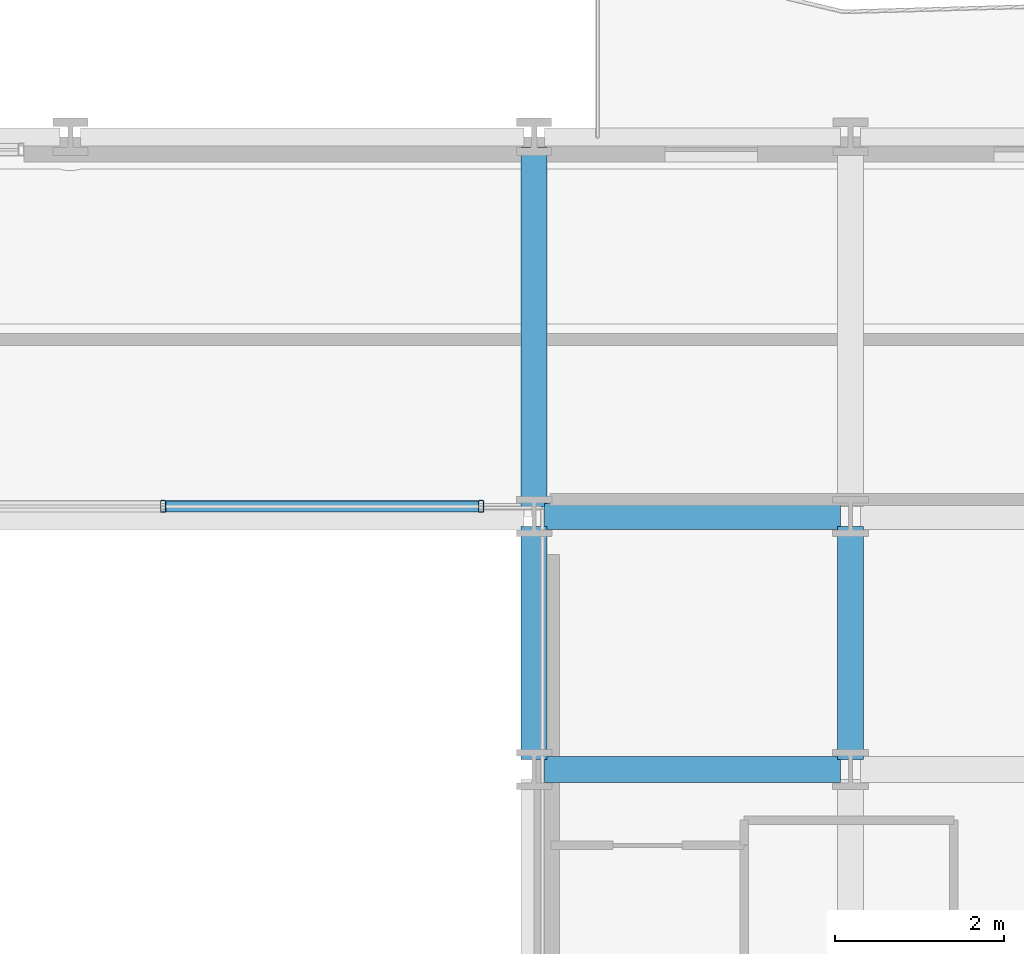
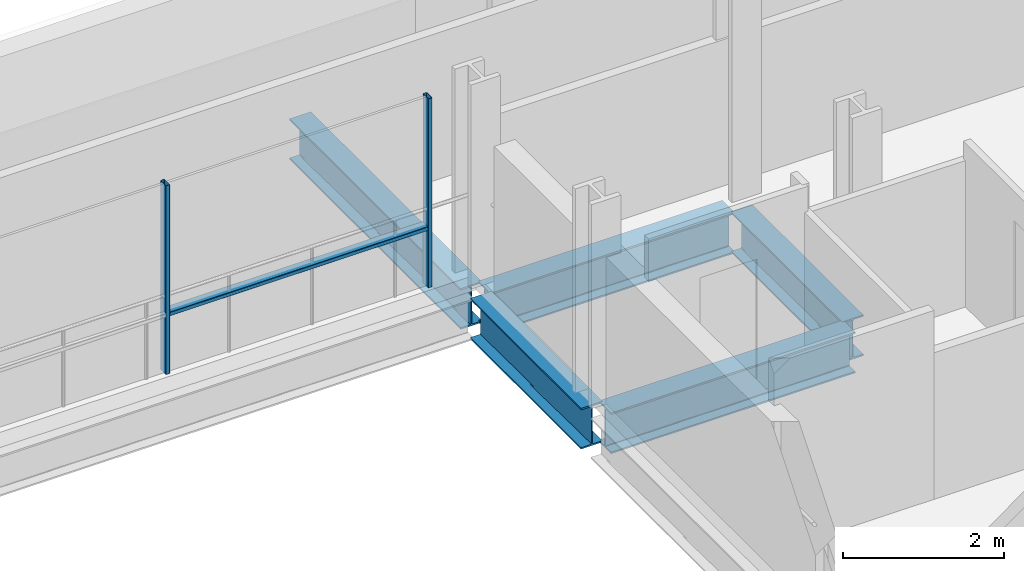
# One storey, part 17 of 41: 5 beams, 3 members, 1 element without a shape of its own.
"""IFC4 building model written with IfcOpenShell, lengths in metres."""

from ifc_helpers import new_model, si_unit, direction, frame, origin, origin_2d, place, context, subcontext, project, spatial, hollow_rectangle, i_section, extrude, material, layer, layer_set, material_profile, profile_set, type_object, element, aggregate, save


model = new_model("IFC4")

# Units and contexts
model_context = context("Model", 3, precision=1e-05, world=origin(), true_north=direction((0.0, 1.0)))
body_context = subcontext(model_context, "Body", "Model", "MODEL_VIEW")
ifc_project = project(units=[si_unit("LENGTHUNIT", "METRE"), si_unit("AREAUNIT", "SQUARE_METRE"), si_unit("VOLUMEUNIT", "CUBIC_METRE"), si_unit("PLANEANGLEUNIT", "RADIAN"), si_unit("MASSUNIT", "GRAM", prefix="KILO")], contexts=[model_context])

# Site, building, storey
site_placement = place(None, origin())
site = spatial("IfcSite", under=ifc_project, at=site_placement, CompositionType="ELEMENT")
building_placement = place(site_placement, origin())
building = spatial("IfcBuilding", under=site, at=building_placement, Name="Brevholm Reach", CompositionType="ELEMENT")
storey_placement = place(building_placement, frame((0.0, 0.0, 55.89990234375)))
storey = spatial("IfcBuildingStorey", under=building, at=storey_placement, Name="L15", CompositionType="ELEMENT", Elevation=55.89990234375)

# Beams
ifc_material_1 = material(Name="Structural Steel S355J2", Category="steel")
ifc_material_profile_1 = material_profile(ifc_material_1, i_section(OverallWidth=0.30712890625, OverallDepth=0.6201171875, WebThickness=0.01416015625, FlangeThickness=0.023681640625, FilletRadius=0.0166015625, at=origin_2d()), Name="UKB 610x305x179")
ifc_profile_set_1 = profile_set([ifc_material_profile_1], Name="Structural Steel S355J2")
beam_type = type_object("IfcBeamType", Name="BM-UKB610H", PredefinedType="USERDEFINED", material=ifc_profile_set_1)
for number, where, z_axis, x_axis, name in (
    (1, (38.3701171875, 23.5, -0.5400390625), (1.0, 0.0, 0.0), (0.0, 1.0, 0.0), "L15 G-06 Framing Beam"),
    (2, (38.3701171875, 26.5, -0.5400390625), (1.0, 0.0, 0.0), (0.0, 1.0, 0.0), "L15 G-06 Framing Beam"),
):
    element("IfcBeam", number, at=place(storey_placement, frame(where, z_axis=z_axis, x_axis=x_axis)), inside=storey, type_object=beam_type, Name=name, ObjectType="GIRDER", PredefinedType="USERDEFINED", context=body_context, shape_type="SweptSolid", body=[
        extrude(i_section(OverallWidth=0.30712890625, OverallDepth=0.6201171875, WebThickness=0.01416015625, FlangeThickness=0.023681640625, FilletRadius=0.0166015625, at=origin_2d()), origin(), (0.0, 0.0, 1.0), 3.509765625),
    ])
beam_1_placement = place(storey_placement, frame((38.25, 23.6201171875, -0.5400390625), z_axis=(0.0, 1.0, 0.0), x_axis=(-1.0, 0.0, 0.0)))
element("IfcBeam", 3, at=beam_1_placement, inside=storey, type_object=beam_type, Name="L15 G-06 Framing Beam", ObjectType="GIRDER", PredefinedType="USERDEFINED", context=body_context, shape_type="SweptSolid", body=[
    extrude(i_section(OverallWidth=0.30712890625, OverallDepth=0.6201171875, WebThickness=0.01416015625, FlangeThickness=0.023681640625, FilletRadius=0.0166015625, at=origin_2d()), origin(), (0.0, 0.0, 1.0), 2.759765625),
])
beam_2_placement = place(storey_placement, frame((38.25, 26.6201171875, -0.5400390625), z_axis=(0.0, 1.0, 0.0), x_axis=(-1.0, 0.0, 0.0)))
element("IfcBeam", 4, at=beam_2_placement, inside=storey, type_object=beam_type, Name="L15 G-06 Framing Beam", ObjectType="GIRDER", PredefinedType="USERDEFINED", context=body_context, shape_type="SweptSolid", body=[
    extrude(i_section(OverallWidth=0.30712890625, OverallDepth=0.6201171875, WebThickness=0.01416015625, FlangeThickness=0.023681640625, FilletRadius=0.0166015625, at=origin_2d()), origin(), (0.0, 0.0, 1.0), 4.259765625),
])
beam_3_placement = place(storey_placement, frame((42.0, 23.6201171875, -0.5400390625), z_axis=(0.0, 1.0, 0.0), x_axis=(-1.0, 0.0, 0.0)))
element("IfcBeam", 5, at=beam_3_placement, inside=storey, type_object=beam_type, Name="L15 G-06 Framing Beam", ObjectType="GIRDER", PredefinedType="USERDEFINED", context=body_context, shape_type="SweptSolid", body=[
    extrude(i_section(OverallWidth=0.30712890625, OverallDepth=0.6201171875, WebThickness=0.01416015625, FlangeThickness=0.023681640625, FilletRadius=0.0166015625, at=origin_2d()), origin(), (0.0, 0.0, 1.0), 2.759765625),
])

# Curtain wall, members
ifc_material_2 = material(Name="Dark Anodised Aluminium 6063-T6 and Solar-Control Glass", Category="aluminium")
ifc_layer = layer(ifc_material_2, 0.139892578125)
ifc_layer_set = layer_set([ifc_layer], Name="Dark Anodised Aluminium 6063-T6 and Solar-Control Glass")
curtain_wall_type = type_object("IfcCurtainWallType", Name="CW-02", PredefinedType="NOTDEFINED", material=ifc_layer_set)
curtain_wall_placement = place(storey_placement, origin())
curtain_wall = element("IfcCurtainWall", 6, at=curtain_wall_placement, inside=storey, type_object=curtain_wall_type, Name="L15 Curtain Wall CW-02", PredefinedType="NOTDEFINED")
ifc_material_3 = material(Name="Dark Anodised Aluminium 6063-T6", Category="aluminium")
ifc_material_profile_2 = material_profile(ifc_material_3, hollow_rectangle(XDim=0.06005859375, YDim=0.139892578125, WallThickness=0.0048828125, InnerFilletRadius=0.0048828125, OuterFilletRadius=0.010009765625, at=origin_2d()), Name="RHS 140x60x5")
ifc_profile_set_2 = profile_set([ifc_material_profile_2], Name="Dark Anodised Aluminium 6063-T6")
member_type_1 = type_object("IfcMemberType", Name="CWM-140", PredefinedType="MULLION", material=ifc_profile_set_2)
member_1_placement = place(storey_placement, frame((37.6201171875, 26.6201171875, 0.0), z_axis=(0.0, 0.0, 1.0), x_axis=(-1.0, 0.0, 0.0)))
member_1 = element("IfcMember", 7, at=member_1_placement, type_object=member_type_1, Name="CM-140 Mullion 1", PredefinedType="MULLION", context=body_context, shape_type="SweptSolid", body=[
    extrude(hollow_rectangle(XDim=0.06005859375, YDim=0.139892578125, WallThickness=0.0048828125, InnerFilletRadius=0.0048828125, OuterFilletRadius=0.010009765625, at=origin_2d()), origin(), (0.0, 0.0, 1.0), 2.8701171875),
])
member_2_placement = place(storey_placement, frame((33.85009765625, 26.6201171875, 0.0), z_axis=(0.0, 0.0, 1.0), x_axis=(-1.0, 0.0, 0.0)))
member_2 = element("IfcMember", 8, at=member_2_placement, type_object=member_type_1, Name="CM-140 Mullion 2", PredefinedType="MULLION", context=body_context, shape_type="SweptSolid", body=[
    extrude(hollow_rectangle(XDim=0.06005859375, YDim=0.139892578125, WallThickness=0.0048828125, InnerFilletRadius=0.0048828125, OuterFilletRadius=0.010009765625, at=origin_2d()), origin(), (0.0, 0.0, 1.0), 2.8701171875),
])
ifc_material_4 = material(Name="Dark Anodised Aluminium 6063-T6", Category="aluminium")
ifc_material_profile_3 = material_profile(ifc_material_4, hollow_rectangle(XDim=0.06005859375, YDim=0.139892578125, WallThickness=0.0048828125, InnerFilletRadius=0.0048828125, OuterFilletRadius=0.010009765625, at=origin_2d()), Name="RHS 140x60x5")
ifc_profile_set_3 = profile_set([ifc_material_profile_3], Name="Dark Anodised Aluminium 6063-T6")
member_type_2 = type_object("IfcMemberType", Name="CWT-140", PredefinedType="NOTDEFINED", material=ifc_profile_set_3)
member_3_placement = place(storey_placement, frame((37.590087890625, 26.6201171875, 0.900146484375), z_axis=(-1.0, 0.0, 0.0), x_axis=(0.0, 0.0, 1.0)))
member_3 = element("IfcMember", 9, at=member_3_placement, type_object=member_type_2, Name="CT-140 Transom 1.1", ObjectType="TRANSOM", PredefinedType="USERDEFINED", context=body_context, shape_type="SweptSolid", body=[
    extrude(hollow_rectangle(XDim=0.06005859375, YDim=0.139892578125, WallThickness=0.0048828125, InnerFilletRadius=0.0048828125, OuterFilletRadius=0.010009765625, at=origin_2d()), origin(), (0.0, 0.0, 1.0), 3.710205078125),
])
aggregate(curtain_wall, [member_1, member_2, member_3])

save(model, "model.ifc")
